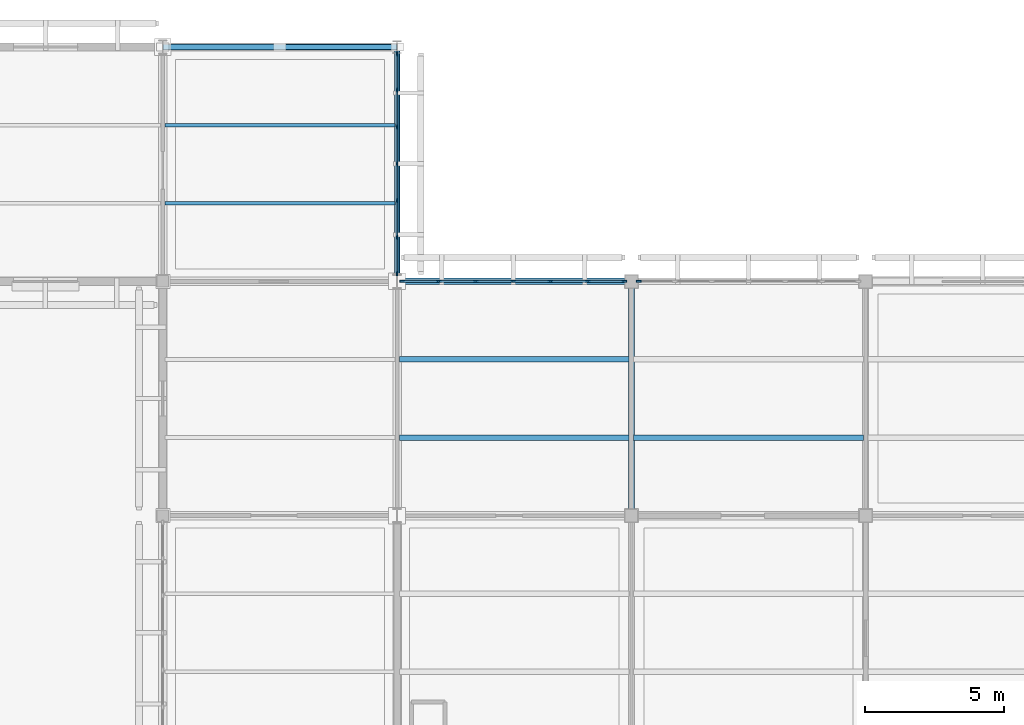
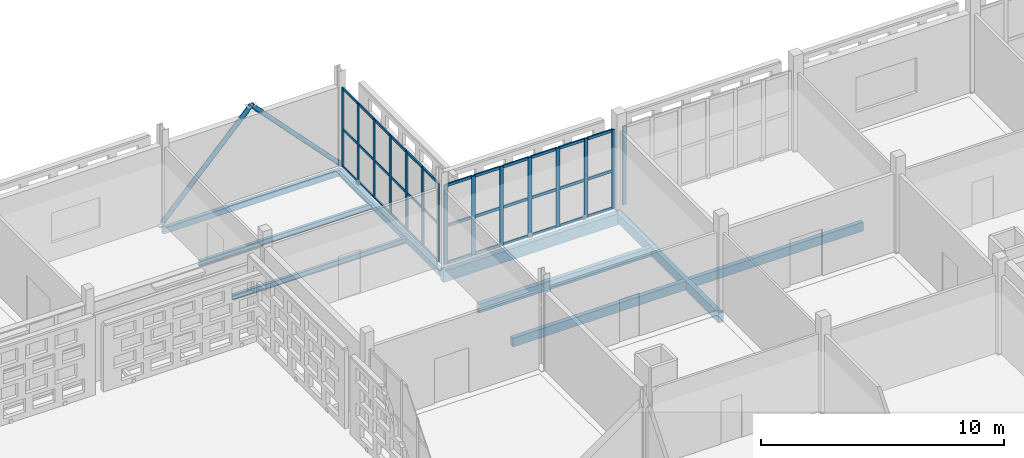
# One storey, part 83 of 203: 53 members, 9 beams, 3 elements without a shape of their own.
"""IFC4 building model written with IfcOpenShell, lengths in metres."""

from ifc_helpers import new_model, si_unit, direction, frame, origin, origin_2d, place, context, subcontext, project, spatial, rectangle, hollow_rectangle, hollow_circle, i_section, extrude, material, layer, layer_set, material_profile, profile_set, type_object, element, aggregate, save


model = new_model("IFC4")

# Units and contexts
model_context = context("Model", 3, precision=1e-05, world=origin(), true_north=direction((0.0, 1.0)))
body_context = subcontext(model_context, "Body", "Model", "MODEL_VIEW")
ifc_project = project(units=[si_unit("LENGTHUNIT", "METRE"), si_unit("AREAUNIT", "SQUARE_METRE"), si_unit("VOLUMEUNIT", "CUBIC_METRE"), si_unit("PLANEANGLEUNIT", "RADIAN"), si_unit("MASSUNIT", "GRAM", prefix="KILO")], contexts=[model_context])

# Site, building, storey
site_placement = place(None, origin())
site = spatial("IfcSite", under=ifc_project, at=site_placement, CompositionType="ELEMENT")
building_placement = place(site_placement, origin())
building = spatial("IfcBuilding", under=site, at=building_placement, Name="Varnapada Polytechnic", CompositionType="ELEMENT")
storey_placement = place(building_placement, frame((0.0, 0.0, 4.800048828125)))
storey = spatial("IfcBuildingStorey", under=building, at=storey_placement, Name="L01", CompositionType="ELEMENT", Elevation=4.800048828125)

# Beams
ifc_material_1 = material(Name="Glulam GL32h", Category="wood")
ifc_material_profile_1 = material_profile(ifc_material_1, rectangle(XDim=0.199951171875, YDim=0.43994140625, at=origin_2d()), Name="GL 200x440")
ifc_profile_set_1 = profile_set([ifc_material_profile_1], Name="Glulam GL32h")
beam_type_1 = type_object("IfcBeamType", Name="Heavy laboratory glulam joist GJ-03 (GL 200x440)", PredefinedType="JOIST", material=ifc_profile_set_1)
for number, where, z_axis, x_axis, name in (
    (1, (134.47998046875, 112.0, -0.47998046875), (1.0, 0.0, 0.0), (0.0, 1.0, 0.0), "L01 floor joist 17/14.1"),
    (2, (134.47998046875, 114.800048828125, -0.47998046875), (1.0, 0.0, 0.0), (0.0, 1.0, 0.0), "L01 floor joist 17/14.2"),
):
    element("IfcBeam", number, at=place(storey_placement, frame(where, z_axis=z_axis, x_axis=x_axis)), inside=storey, type_object=beam_type_1, Name=name, PredefinedType="JOIST", context=body_context, shape_type="SweptSolid", body=[
        extrude(rectangle(XDim=0.199951171875, YDim=0.43994140625, at=origin_2d()), origin(), (0.0, 0.0, 1.0), 8.239990234375),
    ])
beam_1_placement = place(storey_placement, frame((142.8798828125, 112.0, -0.469970703125), z_axis=(1.0, 0.0, 0.0), x_axis=(0.0, 1.0, 0.0)))
element("IfcBeam", 3, at=beam_1_placement, inside=storey, type_object=beam_type_1, Name="L01 floor joist 18/14.1", PredefinedType="JOIST", context=body_context, shape_type="SweptSolid", body=[
    extrude(rectangle(XDim=0.199951171875, YDim=0.43994140625, at=origin_2d()), origin(), (0.0, 0.0, 1.0), 8.240234375),
])
ifc_material_2 = material(Name="Steel S355", Category="steel")
ifc_material_profile_2 = material_profile(ifc_material_2, i_section(OverallWidth=0.135009765625, OverallDepth=0.27001953125, WebThickness=0.006591796875, FlangeThickness=0.01025390625, FilletRadius=0.014892578125, at=origin_2d()), Name="IPE 270")
ifc_profile_set_2 = profile_set([ifc_material_profile_2], Name="Steel S355")
beam_type_2 = type_object("IfcBeamType", Name="Mezzanine heavy steel joist SJ-03 (IPE 270)", PredefinedType="JOIST", material=ifc_profile_set_2)
for number, where, z_axis, x_axis, name in (
    (4, (126.080078125, 120.39990234375, -0.39501953125), (1.0, 0.0, 0.0), (0.0, 1.0, 0.0), "L01 floor joist 16/15.1"),
    (5, (126.080078125, 123.199951171875, -0.39501953125), (1.0, 0.0, 0.0), (0.0, 1.0, 0.0), "L01 floor joist 16/15.2"),
):
    element("IfcBeam", number, at=place(storey_placement, frame(where, z_axis=z_axis, x_axis=x_axis)), inside=storey, type_object=beam_type_2, Name=name, PredefinedType="JOIST", context=body_context, shape_type="SweptSolid", body=[
        extrude(i_section(OverallWidth=0.135009765625, OverallDepth=0.27001953125, WebThickness=0.006591796875, FlangeThickness=0.01025390625, FilletRadius=0.014892578125, at=origin_2d()), origin(), (0.0, 0.0, 1.0), 8.239990234375),
    ])

# Curtain wall, members
ifc_material_3 = material(Name="Double low-E laminated glass", Category="glass")
ifc_layer_1 = layer(ifc_material_3, 0.159912109375)
ifc_layer_set_1 = layer_set([ifc_layer_1], Name="Double low-E laminated glass")
curtain_wall_type_1 = type_object("IfcCurtainWallType", Name="Curtain Wall CW-02", PredefinedType="NOTDEFINED", material=ifc_layer_set_1)
curtain_wall_1_placement = place(storey_placement, origin())
curtain_wall_1 = element("IfcCurtainWall", 6, at=curtain_wall_1_placement, inside=storey, type_object=curtain_wall_type_1, Name="L01 unitised curtain wall CW-02 (99)", PredefinedType="NOTDEFINED")
ifc_material_4 = material(Name="Anodised aluminium", Category="aluminium")
ifc_material_profile_3 = material_profile(ifc_material_4, rectangle(XDim=0.06005859375, YDim=0.159912109375, at=origin_2d()), Name="ALU M60x160")
ifc_profile_set_3 = profile_set([ifc_material_profile_3], Name="Anodised aluminium")
member_type_1 = type_object("IfcMemberType", Name="Mullion M-01", PredefinedType="MULLION", material=ifc_profile_set_3)
member_1_placement = place(storey_placement, frame((134.39990234375, 125.75, 0.0), z_axis=(0.0, 0.0, 1.0), x_axis=(1.0, 0.0, 0.0)))
member_1 = element("IfcMember", 7, at=member_1_placement, type_object=member_type_1, Name="CW-02 mullion 1", PredefinedType="MULLION", context=body_context, shape_type="SweptSolid", body=[
    extrude(rectangle(XDim=0.06005859375, YDim=0.159912109375, at=origin_2d()), origin(), (0.0, 0.0, 1.0), 3.9599609375),
])
member_2_placement = place(storey_placement, frame((134.39990234375, 124.458251953125, 0.0), z_axis=(0.0, 0.0, 1.0), x_axis=(1.0, 0.0, 0.0)))
member_2 = element("IfcMember", 8, at=member_2_placement, type_object=member_type_1, Name="CW-02 mullion 2", PredefinedType="MULLION", context=body_context, shape_type="SweptSolid", body=[
    extrude(rectangle(XDim=0.06005859375, YDim=0.159912109375, at=origin_2d()), origin(), (0.0, 0.0, 1.0), 3.9599609375),
])
member_3_placement = place(storey_placement, frame((134.39990234375, 123.13671875, 0.0), z_axis=(0.0, 0.0, 1.0), x_axis=(1.0, 0.0, 0.0)))
member_3 = element("IfcMember", 9, at=member_3_placement, type_object=member_type_1, Name="CW-02 mullion 3", PredefinedType="MULLION", context=body_context, shape_type="SweptSolid", body=[
    extrude(rectangle(XDim=0.06005859375, YDim=0.159912109375, at=origin_2d()), origin(), (0.0, 0.0, 1.0), 3.9599609375),
])
member_4_placement = place(storey_placement, frame((134.39990234375, 121.81494140625, 0.0), z_axis=(0.0, 0.0, 1.0), x_axis=(1.0, 0.0, 0.0)))
member_4 = element("IfcMember", 10, at=member_4_placement, type_object=member_type_1, Name="CW-02 mullion 4", PredefinedType="MULLION", context=body_context, shape_type="SweptSolid", body=[
    extrude(rectangle(XDim=0.06005859375, YDim=0.159912109375, at=origin_2d()), origin(), (0.0, 0.0, 1.0), 3.9599609375),
])
member_5_placement = place(storey_placement, frame((134.39990234375, 120.493408203125, 0.0), z_axis=(0.0, 0.0, 1.0), x_axis=(1.0, 0.0, 0.0)))
member_5 = element("IfcMember", 11, at=member_5_placement, type_object=member_type_1, Name="CW-02 mullion 5", PredefinedType="MULLION", context=body_context, shape_type="SweptSolid", body=[
    extrude(rectangle(XDim=0.06005859375, YDim=0.159912109375, at=origin_2d()), origin(), (0.0, 0.0, 1.0), 3.9599609375),
])
member_6_placement = place(storey_placement, frame((134.39990234375, 119.171630859375, 0.0), z_axis=(0.0, 0.0, 1.0), x_axis=(1.0, 0.0, 0.0)))
member_6 = element("IfcMember", 12, at=member_6_placement, type_object=member_type_1, Name="CW-02 mullion 6", PredefinedType="MULLION", context=body_context, shape_type="SweptSolid", body=[
    extrude(rectangle(XDim=0.06005859375, YDim=0.159912109375, at=origin_2d()), origin(), (0.0, 0.0, 1.0), 3.9599609375),
])
member_7_placement = place(storey_placement, frame((134.39990234375, 117.8798828125, 0.0), z_axis=(0.0, 0.0, 1.0), x_axis=(1.0, 0.0, 0.0)))
member_7 = element("IfcMember", 13, at=member_7_placement, type_object=member_type_1, Name="CW-02 mullion 7", PredefinedType="MULLION", context=body_context, shape_type="SweptSolid", body=[
    extrude(rectangle(XDim=0.06005859375, YDim=0.159912109375, at=origin_2d()), origin(), (0.0, 0.0, 1.0), 3.9599609375),
])

ifc_layer_2 = layer(ifc_material_3, 0.179931640625)
ifc_layer_set_2 = layer_set([ifc_layer_2], Name="Double low-E laminated glass")
curtain_wall_type_2 = type_object("IfcCurtainWallType", Name="Curtain Wall CW-04", PredefinedType="NOTDEFINED", material=ifc_layer_set_2)
curtain_wall_2_placement = place(storey_placement, origin())
curtain_wall_2 = element("IfcCurtainWall", 14, at=curtain_wall_2_placement, inside=storey, type_object=curtain_wall_type_2, Name="L01 unitised curtain wall CW-04 (105)", PredefinedType="NOTDEFINED")
ifc_material_profile_4 = material_profile(ifc_material_4, rectangle(XDim=0.06494140625, YDim=0.179931640625, at=origin_2d()), Name="ALU M65x180")
ifc_profile_set_4 = profile_set([ifc_material_profile_4], Name="Anodised aluminium")
member_type_2 = type_object("IfcMemberType", Name="Mullion M-02", PredefinedType="MULLION", material=ifc_profile_set_4)
member_8_placement = place(storey_placement, frame((134.58251953125, 117.60009765625, 0.0), z_axis=(0.0, 0.0, 1.0), x_axis=(0.0, 1.0, 0.0)))
member_8 = element("IfcMember", 15, at=member_8_placement, type_object=member_type_2, Name="CW-04 mullion 1", PredefinedType="MULLION", context=body_context, shape_type="SweptSolid", body=[
    extrude(rectangle(XDim=0.06494140625, YDim=0.179931640625, at=origin_2d()), origin(), (0.0, 0.0, 1.0), 3.9599609375),
])
member_9_placement = place(storey_placement, frame((135.88671875, 117.60009765625, 0.0), z_axis=(0.0, 0.0, 1.0), x_axis=(0.0, 1.0, 0.0)))
member_9 = element("IfcMember", 16, at=member_9_placement, type_object=member_type_2, Name="CW-04 mullion 2", PredefinedType="MULLION", context=body_context, shape_type="SweptSolid", body=[
    extrude(rectangle(XDim=0.06494140625, YDim=0.179931640625, at=origin_2d()), origin(), (0.0, 0.0, 1.0), 3.9599609375),
])
member_10_placement = place(storey_placement, frame((137.223388671875, 117.60009765625, 0.0), z_axis=(0.0, 0.0, 1.0), x_axis=(0.0, 1.0, 0.0)))
member_10 = element("IfcMember", 17, at=member_10_placement, type_object=member_type_2, Name="CW-04 mullion 3", PredefinedType="MULLION", context=body_context, shape_type="SweptSolid", body=[
    extrude(rectangle(XDim=0.06494140625, YDim=0.179931640625, at=origin_2d()), origin(), (0.0, 0.0, 1.0), 3.9599609375),
])
member_11_placement = place(storey_placement, frame((138.56005859375, 117.60009765625, 0.0), z_axis=(0.0, 0.0, 1.0), x_axis=(0.0, 1.0, 0.0)))
member_11 = element("IfcMember", 18, at=member_11_placement, type_object=member_type_2, Name="CW-04 mullion 4", PredefinedType="MULLION", context=body_context, shape_type="SweptSolid", body=[
    extrude(rectangle(XDim=0.06494140625, YDim=0.179931640625, at=origin_2d()), origin(), (0.0, 0.0, 1.0), 3.9599609375),
])
member_12_placement = place(storey_placement, frame((139.896728515625, 117.60009765625, 0.0), z_axis=(0.0, 0.0, 1.0), x_axis=(0.0, 1.0, 0.0)))
member_12 = element("IfcMember", 19, at=member_12_placement, type_object=member_type_2, Name="CW-04 mullion 5", PredefinedType="MULLION", context=body_context, shape_type="SweptSolid", body=[
    extrude(rectangle(XDim=0.06494140625, YDim=0.179931640625, at=origin_2d()), origin(), (0.0, 0.0, 1.0), 3.9599609375),
])
member_13_placement = place(storey_placement, frame((141.2333984375, 117.60009765625, 0.0), z_axis=(0.0, 0.0, 1.0), x_axis=(0.0, 1.0, 0.0)))
member_13 = element("IfcMember", 20, at=member_13_placement, type_object=member_type_2, Name="CW-04 mullion 6", PredefinedType="MULLION", context=body_context, shape_type="SweptSolid", body=[
    extrude(rectangle(XDim=0.06494140625, YDim=0.179931640625, at=origin_2d()), origin(), (0.0, 0.0, 1.0), 3.9599609375),
])
member_14_placement = place(storey_placement, frame((142.53759765625, 117.60009765625, 0.0), z_axis=(0.0, 0.0, 1.0), x_axis=(0.0, 1.0, 0.0)))
member_14 = element("IfcMember", 21, at=member_14_placement, type_object=member_type_2, Name="CW-04 mullion 7", PredefinedType="MULLION", context=body_context, shape_type="SweptSolid", body=[
    extrude(rectangle(XDim=0.06494140625, YDim=0.179931640625, at=origin_2d()), origin(), (0.0, 0.0, 1.0), 3.9599609375),
])

# Curtain wall, member
curtain_wall_3_placement = place(storey_placement, origin())
curtain_wall_3 = element("IfcCurtainWall", 22, at=curtain_wall_3_placement, inside=storey, type_object=curtain_wall_type_2, Name="L01 unitised curtain wall CW-04 (108)", PredefinedType="NOTDEFINED")
member_15_placement = place(storey_placement, frame((143.0625, 117.60009765625, 0.0), z_axis=(0.0, 0.0, 1.0), x_axis=(0.0, 1.0, 0.0)))
member_15 = element("IfcMember", 23, at=member_15_placement, type_object=member_type_2, Name="CW-04 mullion 1", PredefinedType="MULLION", context=body_context, shape_type="SweptSolid", body=[
    extrude(rectangle(XDim=0.06494140625, YDim=0.179931640625, at=origin_2d()), origin(), (0.0, 0.0, 1.0), 3.9599609375),
])
aggregate(curtain_wall_3, [member_15])

# Beam
ifc_material_profile_5 = material_profile(ifc_material_1, rectangle(XDim=0.239990234375, YDim=0.56005859375, at=origin_2d()), Name="GL 240x560")
ifc_profile_set_5 = profile_set([ifc_material_profile_5], Name="Glulam GL32h")
beam_type_3 = type_object("IfcBeamType", Name="Perimeter glulam spandrel beam SP-02 (GL 240x560)", PredefinedType="SPANDREL", material=ifc_profile_set_5)
beam_2_placement = place(storey_placement, frame((134.39990234375, 117.60009765625, -0.5400390625), z_axis=(1.0, 0.0, 0.0), x_axis=(0.0, 1.0, 0.0)))
element("IfcBeam", 24, at=beam_2_placement, inside=storey, type_object=beam_type_3, Name="L01 beam X 17-18 at Y15", PredefinedType="SPANDREL", context=body_context, shape_type="SweptSolid", body=[
    extrude(rectangle(XDim=0.239990234375, YDim=0.56005859375, at=origin_2d()), origin(), (0.0, 0.0, 1.0), 8.400146484375),
])

# Member
ifc_material_profile_6 = material_profile(ifc_material_4, rectangle(XDim=0.06005859375, YDim=0.1201171875, at=origin_2d()), Name="ALU T60x120")
ifc_profile_set_6 = profile_set([ifc_material_profile_6], Name="Anodised aluminium")
member_type_3 = type_object("IfcMemberType", Name="Transom T-01", PredefinedType="USERDEFINED", material=ifc_profile_set_6)
member_16_placement = place(storey_placement, frame((134.39990234375, 125.719970703125, 0.030029296875), z_axis=(0.0, -1.0, 0.0), x_axis=(1.0, 0.0, 0.0)))
member_16 = element("IfcMember", 25, at=member_16_placement, type_object=member_type_3, Name="CW-02 transom 1.1", ObjectType="TRANSOM", PredefinedType="USERDEFINED", context=body_context, shape_type="SweptSolid", body=[
    extrude(rectangle(XDim=0.06005859375, YDim=0.1201171875, at=origin_2d()), origin(), (0.0, 0.0, 1.0), 1.231689453125),
])

member_17_placement = place(storey_placement, frame((134.39990234375, 125.719970703125, 1.900634765625), z_axis=(0.0, -1.0, 0.0), x_axis=(1.0, 0.0, 0.0)))
member_17 = element("IfcMember", 26, at=member_17_placement, type_object=member_type_3, Name="CW-02 transom 1.2", ObjectType="TRANSOM", PredefinedType="USERDEFINED", context=body_context, shape_type="SweptSolid", body=[
    extrude(rectangle(XDim=0.06005859375, YDim=0.1201171875, at=origin_2d()), origin(), (0.0, 0.0, 1.0), 1.231689453125),
])

member_18_placement = place(storey_placement, frame((134.39990234375, 125.719970703125, 3.929931640625), z_axis=(0.0, -1.0, 0.0), x_axis=(1.0, 0.0, 0.0)))
member_18 = element("IfcMember", 27, at=member_18_placement, type_object=member_type_3, Name="CW-02 transom 1.3", ObjectType="TRANSOM", PredefinedType="USERDEFINED", context=body_context, shape_type="SweptSolid", body=[
    extrude(rectangle(XDim=0.06005859375, YDim=0.1201171875, at=origin_2d()), origin(), (0.0, 0.0, 1.0), 1.231689453125),
])

member_19_placement = place(storey_placement, frame((134.39990234375, 124.42822265625, 0.030029296875), z_axis=(0.0, -1.0, 0.0), x_axis=(1.0, 0.0, 0.0)))
member_19 = element("IfcMember", 28, at=member_19_placement, type_object=member_type_3, Name="CW-02 transom 2.1", ObjectType="TRANSOM", PredefinedType="USERDEFINED", context=body_context, shape_type="SweptSolid", body=[
    extrude(rectangle(XDim=0.06005859375, YDim=0.1201171875, at=origin_2d()), origin(), (0.0, 0.0, 1.0), 1.261474609375),
])

member_20_placement = place(storey_placement, frame((134.39990234375, 124.42822265625, 1.900634765625), z_axis=(0.0, -1.0, 0.0), x_axis=(1.0, 0.0, 0.0)))
member_20 = element("IfcMember", 29, at=member_20_placement, type_object=member_type_3, Name="CW-02 transom 2.2", ObjectType="TRANSOM", PredefinedType="USERDEFINED", context=body_context, shape_type="SweptSolid", body=[
    extrude(rectangle(XDim=0.06005859375, YDim=0.1201171875, at=origin_2d()), origin(), (0.0, 0.0, 1.0), 1.261474609375),
])

member_21_placement = place(storey_placement, frame((134.39990234375, 124.42822265625, 3.929931640625), z_axis=(0.0, -1.0, 0.0), x_axis=(1.0, 0.0, 0.0)))
member_21 = element("IfcMember", 30, at=member_21_placement, type_object=member_type_3, Name="CW-02 transom 2.3", ObjectType="TRANSOM", PredefinedType="USERDEFINED", context=body_context, shape_type="SweptSolid", body=[
    extrude(rectangle(XDim=0.06005859375, YDim=0.1201171875, at=origin_2d()), origin(), (0.0, 0.0, 1.0), 1.261474609375),
])

member_22_placement = place(storey_placement, frame((134.39990234375, 123.106689453125, 0.030029296875), z_axis=(0.0, -1.0, 0.0), x_axis=(1.0, 0.0, 0.0)))
member_22 = element("IfcMember", 31, at=member_22_placement, type_object=member_type_3, Name="CW-02 transom 3.1", ObjectType="TRANSOM", PredefinedType="USERDEFINED", context=body_context, shape_type="SweptSolid", body=[
    extrude(rectangle(XDim=0.06005859375, YDim=0.1201171875, at=origin_2d()), origin(), (0.0, 0.0, 1.0), 1.26171875),
])

member_23_placement = place(storey_placement, frame((134.39990234375, 123.106689453125, 1.900634765625), z_axis=(0.0, -1.0, 0.0), x_axis=(1.0, 0.0, 0.0)))
member_23 = element("IfcMember", 32, at=member_23_placement, type_object=member_type_3, Name="CW-02 transom 3.2", ObjectType="TRANSOM", PredefinedType="USERDEFINED", context=body_context, shape_type="SweptSolid", body=[
    extrude(rectangle(XDim=0.06005859375, YDim=0.1201171875, at=origin_2d()), origin(), (0.0, 0.0, 1.0), 1.26171875),
])

member_24_placement = place(storey_placement, frame((134.39990234375, 123.106689453125, 3.929931640625), z_axis=(0.0, -1.0, 0.0), x_axis=(1.0, 0.0, 0.0)))
member_24 = element("IfcMember", 33, at=member_24_placement, type_object=member_type_3, Name="CW-02 transom 3.3", ObjectType="TRANSOM", PredefinedType="USERDEFINED", context=body_context, shape_type="SweptSolid", body=[
    extrude(rectangle(XDim=0.06005859375, YDim=0.1201171875, at=origin_2d()), origin(), (0.0, 0.0, 1.0), 1.26171875),
])

member_25_placement = place(storey_placement, frame((134.39990234375, 121.784912109375, 0.030029296875), z_axis=(0.0, -1.0, 0.0), x_axis=(1.0, 0.0, 0.0)))
member_25 = element("IfcMember", 34, at=member_25_placement, type_object=member_type_3, Name="CW-02 transom 4.1", ObjectType="TRANSOM", PredefinedType="USERDEFINED", context=body_context, shape_type="SweptSolid", body=[
    extrude(rectangle(XDim=0.06005859375, YDim=0.1201171875, at=origin_2d()), origin(), (0.0, 0.0, 1.0), 1.261474609375),
])

member_26_placement = place(storey_placement, frame((134.39990234375, 121.784912109375, 1.900634765625), z_axis=(0.0, -1.0, 0.0), x_axis=(1.0, 0.0, 0.0)))
member_26 = element("IfcMember", 35, at=member_26_placement, type_object=member_type_3, Name="CW-02 transom 4.2", ObjectType="TRANSOM", PredefinedType="USERDEFINED", context=body_context, shape_type="SweptSolid", body=[
    extrude(rectangle(XDim=0.06005859375, YDim=0.1201171875, at=origin_2d()), origin(), (0.0, 0.0, 1.0), 1.261474609375),
])

member_27_placement = place(storey_placement, frame((134.39990234375, 121.784912109375, 3.929931640625), z_axis=(0.0, -1.0, 0.0), x_axis=(1.0, 0.0, 0.0)))
member_27 = element("IfcMember", 36, at=member_27_placement, type_object=member_type_3, Name="CW-02 transom 4.3", ObjectType="TRANSOM", PredefinedType="USERDEFINED", context=body_context, shape_type="SweptSolid", body=[
    extrude(rectangle(XDim=0.06005859375, YDim=0.1201171875, at=origin_2d()), origin(), (0.0, 0.0, 1.0), 1.261474609375),
])

member_28_placement = place(storey_placement, frame((134.39990234375, 120.46337890625, 0.030029296875), z_axis=(0.0, -1.0, 0.0), x_axis=(1.0, 0.0, 0.0)))
member_28 = element("IfcMember", 37, at=member_28_placement, type_object=member_type_3, Name="CW-02 transom 5.1", ObjectType="TRANSOM", PredefinedType="USERDEFINED", context=body_context, shape_type="SweptSolid", body=[
    extrude(rectangle(XDim=0.06005859375, YDim=0.1201171875, at=origin_2d()), origin(), (0.0, 0.0, 1.0), 1.26171875),
])

member_29_placement = place(storey_placement, frame((134.39990234375, 120.46337890625, 1.900634765625), z_axis=(0.0, -1.0, 0.0), x_axis=(1.0, 0.0, 0.0)))
member_29 = element("IfcMember", 38, at=member_29_placement, type_object=member_type_3, Name="CW-02 transom 5.2", ObjectType="TRANSOM", PredefinedType="USERDEFINED", context=body_context, shape_type="SweptSolid", body=[
    extrude(rectangle(XDim=0.06005859375, YDim=0.1201171875, at=origin_2d()), origin(), (0.0, 0.0, 1.0), 1.26171875),
])

member_30_placement = place(storey_placement, frame((134.39990234375, 120.46337890625, 3.929931640625), z_axis=(0.0, -1.0, 0.0), x_axis=(1.0, 0.0, 0.0)))
member_30 = element("IfcMember", 39, at=member_30_placement, type_object=member_type_3, Name="CW-02 transom 5.3", ObjectType="TRANSOM", PredefinedType="USERDEFINED", context=body_context, shape_type="SweptSolid", body=[
    extrude(rectangle(XDim=0.06005859375, YDim=0.1201171875, at=origin_2d()), origin(), (0.0, 0.0, 1.0), 1.26171875),
])

member_31_placement = place(storey_placement, frame((134.39990234375, 119.1416015625, 0.030029296875), z_axis=(0.0, -1.0, 0.0), x_axis=(1.0, 0.0, 0.0)))
member_31 = element("IfcMember", 40, at=member_31_placement, type_object=member_type_3, Name="CW-02 transom 6.1", ObjectType="TRANSOM", PredefinedType="USERDEFINED", context=body_context, shape_type="SweptSolid", body=[
    extrude(rectangle(XDim=0.06005859375, YDim=0.1201171875, at=origin_2d()), origin(), (0.0, 0.0, 1.0), 1.231689453125),
])

member_32_placement = place(storey_placement, frame((134.39990234375, 119.1416015625, 1.900634765625), z_axis=(0.0, -1.0, 0.0), x_axis=(1.0, 0.0, 0.0)))
member_32 = element("IfcMember", 41, at=member_32_placement, type_object=member_type_3, Name="CW-02 transom 6.2", ObjectType="TRANSOM", PredefinedType="USERDEFINED", context=body_context, shape_type="SweptSolid", body=[
    extrude(rectangle(XDim=0.06005859375, YDim=0.1201171875, at=origin_2d()), origin(), (0.0, 0.0, 1.0), 1.231689453125),
])

member_33_placement = place(storey_placement, frame((134.39990234375, 119.1416015625, 3.929931640625), z_axis=(0.0, -1.0, 0.0), x_axis=(1.0, 0.0, 0.0)))
member_33 = element("IfcMember", 42, at=member_33_placement, type_object=member_type_3, Name="CW-02 transom 6.3", ObjectType="TRANSOM", PredefinedType="USERDEFINED", context=body_context, shape_type="SweptSolid", body=[
    extrude(rectangle(XDim=0.06005859375, YDim=0.1201171875, at=origin_2d()), origin(), (0.0, 0.0, 1.0), 1.231689453125),
])

aggregate(curtain_wall_1, [member_1, member_2, member_3, member_4, member_5, member_6, member_7, member_16, member_17, member_18, member_19, member_20, member_21, member_22, member_23, member_24, member_25, member_26, member_27, member_28, member_29, member_30, member_31, member_32, member_33])

ifc_material_profile_7 = material_profile(ifc_material_4, rectangle(XDim=0.06494140625, YDim=0.139892578125, at=origin_2d()), Name="ALU T65x140")
ifc_profile_set_7 = profile_set([ifc_material_profile_7], Name="Anodised aluminium")
member_type_4 = type_object("IfcMemberType", Name="Transom T-02", PredefinedType="USERDEFINED", material=ifc_profile_set_7)
member_34_placement = place(storey_placement, frame((134.614990234375, 117.60009765625, 0.032470703125), z_axis=(1.0, 0.0, 0.0), x_axis=(0.0, 1.0, 0.0)))
member_34 = element("IfcMember", 43, at=member_34_placement, type_object=member_type_4, Name="CW-04 transom 1.1", ObjectType="TRANSOM", PredefinedType="USERDEFINED", context=body_context, shape_type="SweptSolid", body=[
    extrude(rectangle(XDim=0.06494140625, YDim=0.139892578125, at=origin_2d()), origin(), (0.0, 0.0, 1.0), 1.2392578125),
])

member_35_placement = place(storey_placement, frame((134.614990234375, 117.60009765625, 1.900634765625), z_axis=(1.0, 0.0, 0.0), x_axis=(0.0, 1.0, 0.0)))
member_35 = element("IfcMember", 44, at=member_35_placement, type_object=member_type_4, Name="CW-04 transom 1.2", ObjectType="TRANSOM", PredefinedType="USERDEFINED", context=body_context, shape_type="SweptSolid", body=[
    extrude(rectangle(XDim=0.06494140625, YDim=0.139892578125, at=origin_2d()), origin(), (0.0, 0.0, 1.0), 1.2392578125),
])

member_36_placement = place(storey_placement, frame((134.614990234375, 117.60009765625, 3.927490234375), z_axis=(1.0, 0.0, 0.0), x_axis=(0.0, 1.0, 0.0)))
member_36 = element("IfcMember", 45, at=member_36_placement, type_object=member_type_4, Name="CW-04 transom 1.3", ObjectType="TRANSOM", PredefinedType="USERDEFINED", context=body_context, shape_type="SweptSolid", body=[
    extrude(rectangle(XDim=0.06494140625, YDim=0.139892578125, at=origin_2d()), origin(), (0.0, 0.0, 1.0), 1.2392578125),
])

member_37_placement = place(storey_placement, frame((135.919189453125, 117.60009765625, 0.032470703125), z_axis=(1.0, 0.0, 0.0), x_axis=(0.0, 1.0, 0.0)))
member_37 = element("IfcMember", 46, at=member_37_placement, type_object=member_type_4, Name="CW-04 transom 2.1", ObjectType="TRANSOM", PredefinedType="USERDEFINED", context=body_context, shape_type="SweptSolid", body=[
    extrude(rectangle(XDim=0.06494140625, YDim=0.139892578125, at=origin_2d()), origin(), (0.0, 0.0, 1.0), 1.271728515625),
])

member_38_placement = place(storey_placement, frame((135.919189453125, 117.60009765625, 1.900634765625), z_axis=(1.0, 0.0, 0.0), x_axis=(0.0, 1.0, 0.0)))
member_38 = element("IfcMember", 47, at=member_38_placement, type_object=member_type_4, Name="CW-04 transom 2.2", ObjectType="TRANSOM", PredefinedType="USERDEFINED", context=body_context, shape_type="SweptSolid", body=[
    extrude(rectangle(XDim=0.06494140625, YDim=0.139892578125, at=origin_2d()), origin(), (0.0, 0.0, 1.0), 1.271728515625),
])

member_39_placement = place(storey_placement, frame((135.919189453125, 117.60009765625, 3.927490234375), z_axis=(1.0, 0.0, 0.0), x_axis=(0.0, 1.0, 0.0)))
member_39 = element("IfcMember", 48, at=member_39_placement, type_object=member_type_4, Name="CW-04 transom 2.3", ObjectType="TRANSOM", PredefinedType="USERDEFINED", context=body_context, shape_type="SweptSolid", body=[
    extrude(rectangle(XDim=0.06494140625, YDim=0.139892578125, at=origin_2d()), origin(), (0.0, 0.0, 1.0), 1.271728515625),
])

member_40_placement = place(storey_placement, frame((137.255859375, 117.60009765625, 0.032470703125), z_axis=(1.0, 0.0, 0.0), x_axis=(0.0, 1.0, 0.0)))
member_40 = element("IfcMember", 49, at=member_40_placement, type_object=member_type_4, Name="CW-04 transom 3.1", ObjectType="TRANSOM", PredefinedType="USERDEFINED", context=body_context, shape_type="SweptSolid", body=[
    extrude(rectangle(XDim=0.06494140625, YDim=0.139892578125, at=origin_2d()), origin(), (0.0, 0.0, 1.0), 1.271728515625),
])

member_41_placement = place(storey_placement, frame((137.255859375, 117.60009765625, 1.900634765625), z_axis=(1.0, 0.0, 0.0), x_axis=(0.0, 1.0, 0.0)))
member_41 = element("IfcMember", 50, at=member_41_placement, type_object=member_type_4, Name="CW-04 transom 3.2", ObjectType="TRANSOM", PredefinedType="USERDEFINED", context=body_context, shape_type="SweptSolid", body=[
    extrude(rectangle(XDim=0.06494140625, YDim=0.139892578125, at=origin_2d()), origin(), (0.0, 0.0, 1.0), 1.271728515625),
])

member_42_placement = place(storey_placement, frame((137.255859375, 117.60009765625, 3.927490234375), z_axis=(1.0, 0.0, 0.0), x_axis=(0.0, 1.0, 0.0)))
member_42 = element("IfcMember", 51, at=member_42_placement, type_object=member_type_4, Name="CW-04 transom 3.3", ObjectType="TRANSOM", PredefinedType="USERDEFINED", context=body_context, shape_type="SweptSolid", body=[
    extrude(rectangle(XDim=0.06494140625, YDim=0.139892578125, at=origin_2d()), origin(), (0.0, 0.0, 1.0), 1.271728515625),
])

member_43_placement = place(storey_placement, frame((138.592529296875, 117.60009765625, 0.032470703125), z_axis=(1.0, 0.0, 0.0), x_axis=(0.0, 1.0, 0.0)))
member_43 = element("IfcMember", 52, at=member_43_placement, type_object=member_type_4, Name="CW-04 transom 4.1", ObjectType="TRANSOM", PredefinedType="USERDEFINED", context=body_context, shape_type="SweptSolid", body=[
    extrude(rectangle(XDim=0.06494140625, YDim=0.139892578125, at=origin_2d()), origin(), (0.0, 0.0, 1.0), 1.271728515625),
])

member_44_placement = place(storey_placement, frame((138.592529296875, 117.60009765625, 1.900634765625), z_axis=(1.0, 0.0, 0.0), x_axis=(0.0, 1.0, 0.0)))
member_44 = element("IfcMember", 53, at=member_44_placement, type_object=member_type_4, Name="CW-04 transom 4.2", ObjectType="TRANSOM", PredefinedType="USERDEFINED", context=body_context, shape_type="SweptSolid", body=[
    extrude(rectangle(XDim=0.06494140625, YDim=0.139892578125, at=origin_2d()), origin(), (0.0, 0.0, 1.0), 1.271728515625),
])

member_45_placement = place(storey_placement, frame((138.592529296875, 117.60009765625, 3.927490234375), z_axis=(1.0, 0.0, 0.0), x_axis=(0.0, 1.0, 0.0)))
member_45 = element("IfcMember", 54, at=member_45_placement, type_object=member_type_4, Name="CW-04 transom 4.3", ObjectType="TRANSOM", PredefinedType="USERDEFINED", context=body_context, shape_type="SweptSolid", body=[
    extrude(rectangle(XDim=0.06494140625, YDim=0.139892578125, at=origin_2d()), origin(), (0.0, 0.0, 1.0), 1.271728515625),
])

member_46_placement = place(storey_placement, frame((139.92919921875, 117.60009765625, 0.032470703125), z_axis=(1.0, 0.0, 0.0), x_axis=(0.0, 1.0, 0.0)))
member_46 = element("IfcMember", 55, at=member_46_placement, type_object=member_type_4, Name="CW-04 transom 5.1", ObjectType="TRANSOM", PredefinedType="USERDEFINED", context=body_context, shape_type="SweptSolid", body=[
    extrude(rectangle(XDim=0.06494140625, YDim=0.139892578125, at=origin_2d()), origin(), (0.0, 0.0, 1.0), 1.271728515625),
])

member_47_placement = place(storey_placement, frame((139.92919921875, 117.60009765625, 1.900634765625), z_axis=(1.0, 0.0, 0.0), x_axis=(0.0, 1.0, 0.0)))
member_47 = element("IfcMember", 56, at=member_47_placement, type_object=member_type_4, Name="CW-04 transom 5.2", ObjectType="TRANSOM", PredefinedType="USERDEFINED", context=body_context, shape_type="SweptSolid", body=[
    extrude(rectangle(XDim=0.06494140625, YDim=0.139892578125, at=origin_2d()), origin(), (0.0, 0.0, 1.0), 1.271728515625),
])

member_48_placement = place(storey_placement, frame((139.92919921875, 117.60009765625, 3.927490234375), z_axis=(1.0, 0.0, 0.0), x_axis=(0.0, 1.0, 0.0)))
member_48 = element("IfcMember", 57, at=member_48_placement, type_object=member_type_4, Name="CW-04 transom 5.3", ObjectType="TRANSOM", PredefinedType="USERDEFINED", context=body_context, shape_type="SweptSolid", body=[
    extrude(rectangle(XDim=0.06494140625, YDim=0.139892578125, at=origin_2d()), origin(), (0.0, 0.0, 1.0), 1.271728515625),
])

member_49_placement = place(storey_placement, frame((141.265869140625, 117.60009765625, 0.032470703125), z_axis=(1.0, 0.0, 0.0), x_axis=(0.0, 1.0, 0.0)))
member_49 = element("IfcMember", 58, at=member_49_placement, type_object=member_type_4, Name="CW-04 transom 6.1", ObjectType="TRANSOM", PredefinedType="USERDEFINED", context=body_context, shape_type="SweptSolid", body=[
    extrude(rectangle(XDim=0.06494140625, YDim=0.139892578125, at=origin_2d()), origin(), (0.0, 0.0, 1.0), 1.239013671875),
])

member_50_placement = place(storey_placement, frame((141.265869140625, 117.60009765625, 1.900634765625), z_axis=(1.0, 0.0, 0.0), x_axis=(0.0, 1.0, 0.0)))
member_50 = element("IfcMember", 59, at=member_50_placement, type_object=member_type_4, Name="CW-04 transom 6.2", ObjectType="TRANSOM", PredefinedType="USERDEFINED", context=body_context, shape_type="SweptSolid", body=[
    extrude(rectangle(XDim=0.06494140625, YDim=0.139892578125, at=origin_2d()), origin(), (0.0, 0.0, 1.0), 1.239013671875),
])

member_51_placement = place(storey_placement, frame((141.265869140625, 117.60009765625, 3.927490234375), z_axis=(1.0, 0.0, 0.0), x_axis=(0.0, 1.0, 0.0)))
member_51 = element("IfcMember", 60, at=member_51_placement, type_object=member_type_4, Name="CW-04 transom 6.3", ObjectType="TRANSOM", PredefinedType="USERDEFINED", context=body_context, shape_type="SweptSolid", body=[
    extrude(rectangle(XDim=0.06494140625, YDim=0.139892578125, at=origin_2d()), origin(), (0.0, 0.0, 1.0), 1.239013671875),
])

aggregate(curtain_wall_2, [member_8, member_9, member_10, member_11, member_12, member_13, member_14, member_34, member_35, member_36, member_37, member_38, member_39, member_40, member_41, member_42, member_43, member_44, member_45, member_46, member_47, member_48, member_49, member_50, member_51])

# Beam
ifc_material_profile_8 = material_profile(ifc_material_1, rectangle(XDim=0.219970703125, YDim=0.47998046875, at=origin_2d()), Name="GL 220x480")
ifc_profile_set_8 = profile_set([ifc_material_profile_8], Name="Glulam GL32h")
beam_type_4 = type_object("IfcBeamType", Name="Upper floor glulam tie beam GB-11 (GL 220x480)", PredefinedType="BEAM", material=ifc_profile_set_8)
beam_3_placement = place(storey_placement, frame((142.800048828125, 109.199951171875, -0.489990234375), z_axis=(0.0, 1.0, 0.0), x_axis=(-1.0, 0.0, 0.0)))
element("IfcBeam", 61, at=beam_3_placement, inside=storey, type_object=beam_type_4, Name="L01 beam Y 14-15 at X18", PredefinedType="BEAM", context=body_context, shape_type="SweptSolid", body=[
    extrude(rectangle(XDim=0.219970703125, YDim=0.47998046875, at=origin_2d()), origin(), (0.0, 0.0, 1.0), 8.400146484375),
])

# Members
ifc_material_profile_9 = material_profile(ifc_material_2, hollow_circle(Radius=0.109619140625, WallThickness=0.008056640625, at=origin_2d()), Name="CHS 219.1x8.0")
ifc_profile_set_9 = profile_set([ifc_material_profile_9], Name="Steel S355")
member_type_5 = type_object("IfcMemberType", Name="Workshop hall lateral K/X wall brace BR-01 (CHS 219.1x8.0)", PredefinedType="BRACE", material=ifc_profile_set_9)
for number, where, z_axis, x_axis, name in (
    (62, (126.0, 126.0, 0.0), (0.690479565127, 0.0, 0.723351899245), (0.0, 1.0, 0.0), "L01 lateral chevron brace 4A"),
    (63, (134.39990234375, 126.0, 0.0), (-0.690479565127, 0.0, 0.723351899245), (0.0, -1.0, 0.0), "L01 lateral chevron brace 4B"),
):
    element("IfcMember", number, at=place(storey_placement, frame(where, z_axis=z_axis, x_axis=x_axis)), inside=storey, type_object=member_type_5, Name=name, PredefinedType="BRACE", context=body_context, shape_type="SweptSolid", body=[
        extrude(hollow_circle(Radius=0.109619140625, WallThickness=0.008056640625, at=origin_2d()), origin(), (0.0, 0.0, 1.0), 6.082763671875),
    ])

# Beams
ifc_material_profile_10 = material_profile(ifc_material_2, hollow_rectangle(XDim=0.199951171875, YDim=0.300048828125, WallThickness=0.010009765625, InnerFilletRadius=0.010009765625, OuterFilletRadius=0.02001953125, at=origin_2d()), Name="RHS 300x200x10")
ifc_profile_set_10 = profile_set([ifc_material_profile_10], Name="Steel S355")
beam_type_5 = type_object("IfcBeamType", Name="Workshop steel spandrel tie SP-03 (RHS 300x200x10)", PredefinedType="SPANDREL", material=ifc_profile_set_10)
for number, where, z_axis, x_axis, name in (
    (64, (126.0, 126.0, -0.41015625), (1.0, 0.0, 0.0), (0.0, 1.0, 0.0), "L01 beam X 16-17 at Y16"),
    (65, (134.39990234375, 117.60009765625, -0.41015625), (0.0, 1.0, 0.0), (-1.0, 0.0, 0.0), "L01 beam Y 15-16 at X17"),
):
    element("IfcBeam", number, at=place(storey_placement, frame(where, z_axis=z_axis, x_axis=x_axis)), inside=storey, type_object=beam_type_5, Name=name, PredefinedType="SPANDREL", context=body_context, shape_type="SweptSolid", body=[
        extrude(hollow_rectangle(XDim=0.199951171875, YDim=0.300048828125, WallThickness=0.010009765625, InnerFilletRadius=0.010009765625, OuterFilletRadius=0.02001953125, at=origin_2d()), origin(), (0.0, 0.0, 1.0), 8.39990234375),
    ])

save(model, "model.ifc")
